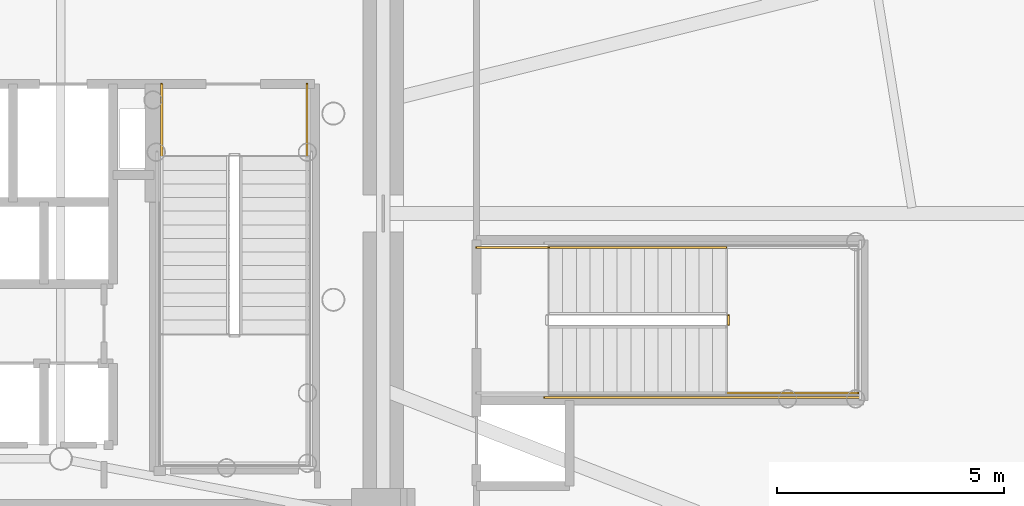
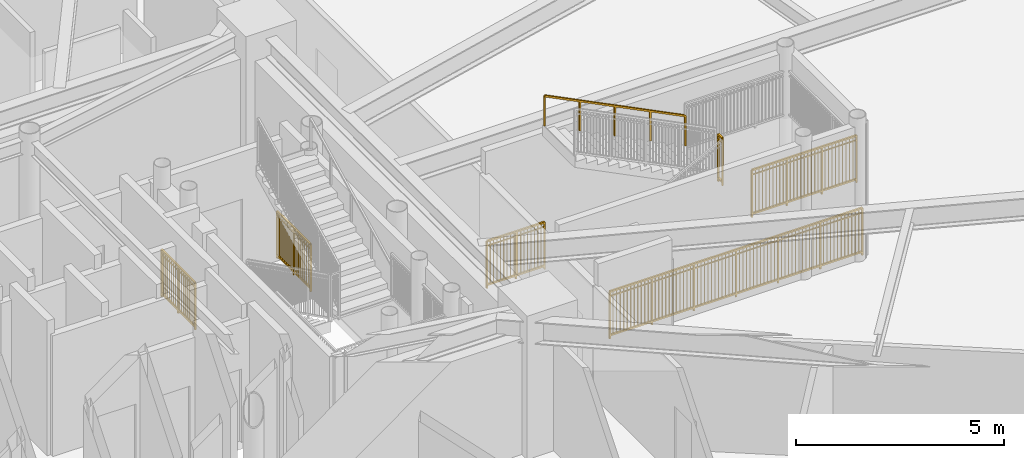
# One storey, part 26 of 28: 7 railings.
"""IFC4 building model written with IfcOpenShell, lengths in metres."""

from ifc_helpers import new_model, si_unit, direction, frame, origin, origin_2d, place, context, subcontext, project, spatial, rectangle, extrude, source, transform, mapped, material, type_object, element, save


model = new_model("IFC4")

# Units and contexts
model_context = context("Model", 3, precision=1e-05, world=origin(), true_north=direction((0.0, 1.0)))
body_context = subcontext(model_context, "Body", "Model", "MODEL_VIEW")
ifc_project = project(units=[si_unit("LENGTHUNIT", "METRE"), si_unit("AREAUNIT", "SQUARE_METRE"), si_unit("VOLUMEUNIT", "CUBIC_METRE"), si_unit("PLANEANGLEUNIT", "RADIAN"), si_unit("MASSUNIT", "GRAM", prefix="KILO")], contexts=[model_context])

# Site, building, storey
site_placement = place(None, origin())
site = spatial("IfcSite", under=ifc_project, at=site_placement, CompositionType="ELEMENT")
building_placement = place(site_placement, origin())
building = spatial("IfcBuilding", under=site, at=building_placement, Name="Linh Dai School and Residence Tower", CompositionType="ELEMENT")
storey_placement = place(building_placement, frame((0.0, 0.0, 36.60009765625)))
storey = spatial("IfcBuildingStorey", under=building, at=storey_placement, Name="L08", CompositionType="ELEMENT", Elevation=36.60009765625)

# Railings
ifc_material_1 = material(Name="Structural Steel S355JR", Category="steel")
railing_type_1 = type_object("IfcRailingType", Name="RL-ST-GUARD-1400", PredefinedType="GUARDRAIL", material=ifc_material_1)
shared_shape_1 = source(origin(), body_context, "Body", "SweptSolid", [
    extrude(rectangle(XDim=0.048095703125, YDim=0.048095703125, at=origin_2d()), frame((0.0, 0.0, 1.3759765625), z_axis=(0.0, -1.0, 0.0), x_axis=(1.0, 0.0, 0.0)), (0.0, 0.0, 1.0), 1.60009765625),
    extrude(rectangle(XDim=0.048095703125, YDim=0.048095703125, at=origin_2d()), frame((0.0, 0.0, 0.10009765625), z_axis=(0.0, -1.0, 0.0), x_axis=(1.0, 0.0, 0.0)), (0.0, 0.0, 1.0), 1.60009765625),
    extrude(rectangle(XDim=0.030029296875, YDim=0.030029296875, at=origin_2d()), frame((0.0, 0.0, 1.239990234375), z_axis=(0.0, -1.0, 0.0), x_axis=(1.0, 0.0, 0.0)), (0.0, 0.0, 1.0), 1.60009765625),
    extrude(rectangle(XDim=0.02001953125, YDim=0.02001953125, at=origin_2d()), frame((0.0, -0.09423828125, 0.10009765625)), (0.0, 0.0, 1.0), 1.251708984375),
    extrude(rectangle(XDim=0.02001953125, YDim=0.02001953125, at=origin_2d()), frame((0.0, -0.188232421875, 0.10009765625)), (0.0, 0.0, 1.0), 1.251708984375),
    extrude(rectangle(XDim=0.02001953125, YDim=0.02001953125, at=origin_2d()), frame((0.0, -0.282470703125, 0.10009765625)), (0.0, 0.0, 1.0), 1.251708984375),
    extrude(rectangle(XDim=0.02001953125, YDim=0.02001953125, at=origin_2d()), frame((0.0, -0.37646484375, 0.10009765625)), (0.0, 0.0, 1.0), 1.251708984375),
    extrude(rectangle(XDim=0.02001953125, YDim=0.02001953125, at=origin_2d()), frame((0.0, -0.470703125, 0.10009765625)), (0.0, 0.0, 1.0), 1.251708984375),
    extrude(rectangle(XDim=0.02001953125, YDim=0.02001953125, at=origin_2d()), frame((0.0, -0.564697265625, 0.10009765625)), (0.0, 0.0, 1.0), 1.251708984375),
    extrude(rectangle(XDim=0.02001953125, YDim=0.02001953125, at=origin_2d()), frame((0.0, -0.658935546875, 0.10009765625)), (0.0, 0.0, 1.0), 1.251708984375),
    extrude(rectangle(XDim=0.02001953125, YDim=0.02001953125, at=origin_2d()), frame((0.0, -0.7529296875, 0.10009765625)), (0.0, 0.0, 1.0), 1.251708984375),
    extrude(rectangle(XDim=0.02001953125, YDim=0.02001953125, at=origin_2d()), frame((0.0, -0.84716796875, 0.10009765625)), (0.0, 0.0, 1.0), 1.251708984375),
    extrude(rectangle(XDim=0.02001953125, YDim=0.02001953125, at=origin_2d()), frame((0.0, -0.941162109375, 0.10009765625)), (0.0, 0.0, 1.0), 1.251708984375),
    extrude(rectangle(XDim=0.02001953125, YDim=0.02001953125, at=origin_2d()), frame((0.0, -1.035400390625, 0.10009765625)), (0.0, 0.0, 1.0), 1.251708984375),
    extrude(rectangle(XDim=0.02001953125, YDim=0.02001953125, at=origin_2d()), frame((0.0, -1.12939453125, 0.10009765625)), (0.0, 0.0, 1.0), 1.251708984375),
    extrude(rectangle(XDim=0.02001953125, YDim=0.02001953125, at=origin_2d()), frame((0.0, -1.2236328125, 0.10009765625)), (0.0, 0.0, 1.0), 1.251708984375),
    extrude(rectangle(XDim=0.02001953125, YDim=0.02001953125, at=origin_2d()), frame((0.0, -1.317626953125, 0.10009765625)), (0.0, 0.0, 1.0), 1.251708984375),
    extrude(rectangle(XDim=0.02001953125, YDim=0.02001953125, at=origin_2d()), frame((0.0, -1.411865234375, 0.10009765625)), (0.0, 0.0, 1.0), 1.251708984375),
    extrude(rectangle(XDim=0.02001953125, YDim=0.02001953125, at=origin_2d()), frame((0.0, -1.505859375, 0.10009765625)), (0.0, 0.0, 1.0), 1.251708984375),
    extrude(rectangle(XDim=0.0419921875, YDim=0.0419921875, at=origin_2d()), origin(), (0.0, 0.0, 1.0), 1.3759765625),
    extrude(rectangle(XDim=0.0419921875, YDim=0.0419921875, at=origin_2d()), frame((0.0, -0.800048828125, 0.0)), (0.0, 0.0, 1.0), 1.3759765625),
    extrude(rectangle(XDim=0.0419921875, YDim=0.0419921875, at=origin_2d()), frame((0.0, -1.60009765625, 0.0)), (0.0, 0.0, 1.0), 1.3759765625),
])
for number, where, name in (
    (1, (41.070068359375, 29.85009765625, 0.0), "L08 ST2 stair guard 8"),
    (2, (44.27001953125, 29.85009765625, 0.0), "L08 ST2 stair guard 9"),
):
    element("IfcRailing", number, at=place(storey_placement, frame(where)), inside=storey, type_object=railing_type_1, Name=name, PredefinedType="GUARDRAIL", context=body_context, shape_type="MappedRepresentation", body=[
        mapped(shared_shape_1, transform((0.0, 0.0, 0.0), x_axis=(1.0, 0.0, 0.0), y_axis=(0.0, 1.0, 0.0), z_axis=(0.0, 0.0, 1.0), scale=1.0)),
    ])
ifc_material_2 = material(Name="Brushed Stainless Steel Handrail", Category="steel")
railing_type_2 = type_object("IfcRailingType", Name="RL-ST-HANDRAIL-900", PredefinedType="HANDRAIL", material=ifc_material_2)
shared_shape_2 = source(origin(), body_context, "Body", "SweptSolid", [
    extrude(rectangle(XDim=0.048095703125, YDim=0.048095703125, at=origin_2d()), frame((0.0, 0.0, 0.8759765625), z_axis=(-0.894427191, 0.0, 0.4472135955), x_axis=(0.0, -1.0, 0.0)), (0.0, 0.0, 1.0), 4.360107421875),
    extrude(rectangle(XDim=0.0419921875, YDim=0.0419921875, at=origin_2d()), origin(), (0.0, 0.0, 1.0), 0.8759765625),
    extrude(rectangle(XDim=0.0419921875, YDim=0.0419921875, at=origin_2d()), frame((-0.97509765625, 0.0, 0.487548828125)), (0.0, 0.0, 1.0), 0.8759765625),
    extrude(rectangle(XDim=0.0419921875, YDim=0.0419921875, at=origin_2d()), frame((-1.949951171875, 0.0, 0.97509765625)), (0.0, 0.0, 1.0), 0.8759765625),
    extrude(rectangle(XDim=0.0419921875, YDim=0.0419921875, at=origin_2d()), frame((-2.9248046875, 0.0, 1.46240234375)), (0.0, 0.0, 1.0), 0.8759765625),
    extrude(rectangle(XDim=0.0419921875, YDim=0.0419921875, at=origin_2d()), frame((-3.89990234375, 0.0, 1.949951171875)), (0.0, 0.0, 1.0), 0.8759765625),
])
railing_1_placement = place(storey_placement, frame((53.5, 26.25, 2.25)))
element("IfcRailing", 3, at=railing_1_placement, inside=storey, type_object=railing_type_2, Name="L08 STS2 stair handrail 2", PredefinedType="HANDRAIL", context=body_context, shape_type="MappedRepresentation", body=[
    mapped(shared_shape_2, transform((0.0, 0.0, 0.0), x_axis=(1.0, 0.0, 0.0), y_axis=(0.0, 1.0, 0.0), z_axis=(0.0, 0.0, 1.0), scale=1.0)),
])
shared_shape_3 = source(origin(), body_context, "Body", "SweptSolid", [
    extrude(rectangle(XDim=0.048095703125, YDim=0.048095703125, at=origin_2d()), frame((0.0, 0.0, 1.3759765625), z_axis=(0.0, 1.0, 0.0), x_axis=(-1.0, 0.0, 0.0)), (0.0, 0.0, 1.0), 0.199951171875),
    extrude(rectangle(XDim=0.048095703125, YDim=0.048095703125, at=origin_2d()), frame((0.0, 0.0, 0.10009765625), z_axis=(0.0, 1.0, 0.0), x_axis=(-1.0, 0.0, 0.0)), (0.0, 0.0, 1.0), 0.199951171875),
    extrude(rectangle(XDim=0.030029296875, YDim=0.030029296875, at=origin_2d()), frame((0.0, 0.0, 1.239990234375), z_axis=(0.0, 1.0, 0.0), x_axis=(-1.0, 0.0, 0.0)), (0.0, 0.0, 1.0), 0.199951171875),
    extrude(rectangle(XDim=0.0419921875, YDim=0.0419921875, at=origin_2d()), origin(), (0.0, 0.0, 1.0), 1.3759765625),
    extrude(rectangle(XDim=0.0419921875, YDim=0.0419921875, at=origin_2d()), frame((0.0, 0.199951171875, 0.0)), (0.0, 0.0, 1.0), 1.3759765625),
])
railing_2_placement = place(storey_placement, frame((53.550048828125, 24.550048828125, 2.099853515625)))
element("IfcRailing", 4, at=railing_2_placement, inside=storey, type_object=railing_type_1, Name="L08 STS2 stair guard 2", PredefinedType="GUARDRAIL", context=body_context, shape_type="MappedRepresentation", body=[
    mapped(shared_shape_3, transform((0.0, 0.0, 0.0), x_axis=(1.0, 0.0, 0.0), y_axis=(0.0, 1.0, 0.0), z_axis=(0.0, 0.0, 1.0), scale=1.0)),
])
shared_shape_4 = source(origin(), body_context, "Body", "SweptSolid", [
    extrude(rectangle(XDim=0.048095703125, YDim=0.048095703125, at=origin_2d()), frame((0.0, 0.0, 1.3759765625), z_axis=(1.0, 0.0, 0.0), x_axis=(0.0, 1.0, 0.0)), (0.0, 0.0, 1.0), 1.60009765625),
    extrude(rectangle(XDim=0.048095703125, YDim=0.048095703125, at=origin_2d()), frame((0.0, 0.0, 0.10009765625), z_axis=(1.0, 0.0, 0.0), x_axis=(0.0, 1.0, 0.0)), (0.0, 0.0, 1.0), 1.60009765625),
    extrude(rectangle(XDim=0.030029296875, YDim=0.030029296875, at=origin_2d()), frame((0.0, 0.0, 1.239990234375), z_axis=(1.0, 0.0, 0.0), x_axis=(0.0, 1.0, 0.0)), (0.0, 0.0, 1.0), 1.60009765625),
    extrude(rectangle(XDim=0.02001953125, YDim=0.02001953125, at=origin_2d()), frame((0.09423828125, 0.0, 0.10009765625)), (0.0, 0.0, 1.0), 1.251708984375),
    extrude(rectangle(XDim=0.02001953125, YDim=0.02001953125, at=origin_2d()), frame((0.188232421875, 0.0, 0.10009765625)), (0.0, 0.0, 1.0), 1.251708984375),
    extrude(rectangle(XDim=0.02001953125, YDim=0.02001953125, at=origin_2d()), frame((0.282470703125, 0.0, 0.10009765625)), (0.0, 0.0, 1.0), 1.251708984375),
    extrude(rectangle(XDim=0.02001953125, YDim=0.02001953125, at=origin_2d()), frame((0.37646484375, 0.0, 0.10009765625)), (0.0, 0.0, 1.0), 1.251708984375),
    extrude(rectangle(XDim=0.02001953125, YDim=0.02001953125, at=origin_2d()), frame((0.470703125, 0.0, 0.10009765625)), (0.0, 0.0, 1.0), 1.251708984375),
    extrude(rectangle(XDim=0.02001953125, YDim=0.02001953125, at=origin_2d()), frame((0.564697265625, 0.0, 0.10009765625)), (0.0, 0.0, 1.0), 1.251708984375),
    extrude(rectangle(XDim=0.02001953125, YDim=0.02001953125, at=origin_2d()), frame((0.658935546875, 0.0, 0.10009765625)), (0.0, 0.0, 1.0), 1.251708984375),
    extrude(rectangle(XDim=0.02001953125, YDim=0.02001953125, at=origin_2d()), frame((0.7529296875, 0.0, 0.10009765625)), (0.0, 0.0, 1.0), 1.251708984375),
    extrude(rectangle(XDim=0.02001953125, YDim=0.02001953125, at=origin_2d()), frame((0.84716796875, 0.0, 0.10009765625)), (0.0, 0.0, 1.0), 1.251708984375),
    extrude(rectangle(XDim=0.02001953125, YDim=0.02001953125, at=origin_2d()), frame((0.941162109375, 0.0, 0.10009765625)), (0.0, 0.0, 1.0), 1.251708984375),
    extrude(rectangle(XDim=0.02001953125, YDim=0.02001953125, at=origin_2d()), frame((1.035400390625, 0.0, 0.10009765625)), (0.0, 0.0, 1.0), 1.251708984375),
    extrude(rectangle(XDim=0.02001953125, YDim=0.02001953125, at=origin_2d()), frame((1.12939453125, 0.0, 0.10009765625)), (0.0, 0.0, 1.0), 1.251708984375),
    extrude(rectangle(XDim=0.02001953125, YDim=0.02001953125, at=origin_2d()), frame((1.2236328125, 0.0, 0.10009765625)), (0.0, 0.0, 1.0), 1.251708984375),
    extrude(rectangle(XDim=0.02001953125, YDim=0.02001953125, at=origin_2d()), frame((1.317626953125, 0.0, 0.10009765625)), (0.0, 0.0, 1.0), 1.251708984375),
    extrude(rectangle(XDim=0.02001953125, YDim=0.02001953125, at=origin_2d()), frame((1.411865234375, 0.0, 0.10009765625)), (0.0, 0.0, 1.0), 1.251708984375),
    extrude(rectangle(XDim=0.02001953125, YDim=0.02001953125, at=origin_2d()), frame((1.505859375, 0.0, 0.10009765625)), (0.0, 0.0, 1.0), 1.251708984375),
    extrude(rectangle(XDim=0.0419921875, YDim=0.0419921875, at=origin_2d()), origin(), (0.0, 0.0, 1.0), 1.3759765625),
    extrude(rectangle(XDim=0.0419921875, YDim=0.0419921875, at=origin_2d()), frame((0.800048828125, 0.0, 0.0)), (0.0, 0.0, 1.0), 1.3759765625),
    extrude(rectangle(XDim=0.0419921875, YDim=0.0419921875, at=origin_2d()), frame((1.60009765625, 0.0, 0.0)), (0.0, 0.0, 1.0), 1.3759765625),
])
railing_3_placement = place(storey_placement, frame((48.0, 26.25, 0.0)))
element("IfcRailing", 5, at=railing_3_placement, inside=storey, type_object=railing_type_1, Name="L08 STS2 stair guard 9", PredefinedType="GUARDRAIL", context=body_context, shape_type="MappedRepresentation", body=[
    mapped(shared_shape_4, transform((0.0, 0.0, 0.0), x_axis=(1.0, 0.0, 0.0), y_axis=(0.0, 1.0, 0.0), z_axis=(0.0, 0.0, 1.0), scale=1.0)),
])
shared_shape_5 = source(origin(), body_context, "Body", "SweptSolid", [
    extrude(rectangle(XDim=0.048095703125, YDim=0.048095703125, at=origin_2d()), frame((0.0, 0.0, 1.3759765625), z_axis=(1.0, 0.0, 0.0), x_axis=(0.0, 1.0, 0.0)), (0.0, 0.0, 1.0), 2.89990234375),
    extrude(rectangle(XDim=0.048095703125, YDim=0.048095703125, at=origin_2d()), frame((0.0, 0.0, 0.10009765625), z_axis=(1.0, 0.0, 0.0), x_axis=(0.0, 1.0, 0.0)), (0.0, 0.0, 1.0), 2.89990234375),
    extrude(rectangle(XDim=0.030029296875, YDim=0.030029296875, at=origin_2d()), frame((0.0, 0.0, 1.239990234375), z_axis=(1.0, 0.0, 0.0), x_axis=(0.0, 1.0, 0.0)), (0.0, 0.0, 1.0), 2.89990234375),
    extrude(rectangle(XDim=0.02001953125, YDim=0.02001953125, at=origin_2d()), frame((0.0966796875, 0.0, 0.10009765625)), (0.0, 0.0, 1.0), 1.251708984375),
    extrude(rectangle(XDim=0.02001953125, YDim=0.02001953125, at=origin_2d()), frame((0.193359375, 0.0, 0.10009765625)), (0.0, 0.0, 1.0), 1.251708984375),
    extrude(rectangle(XDim=0.02001953125, YDim=0.02001953125, at=origin_2d()), frame((0.2900390625, 0.0, 0.10009765625)), (0.0, 0.0, 1.0), 1.251708984375),
    extrude(rectangle(XDim=0.02001953125, YDim=0.02001953125, at=origin_2d()), frame((0.38671875, 0.0, 0.10009765625)), (0.0, 0.0, 1.0), 1.251708984375),
    extrude(rectangle(XDim=0.02001953125, YDim=0.02001953125, at=origin_2d()), frame((0.4833984375, 0.0, 0.10009765625)), (0.0, 0.0, 1.0), 1.251708984375),
    extrude(rectangle(XDim=0.02001953125, YDim=0.02001953125, at=origin_2d()), frame((0.580078125, 0.0, 0.10009765625)), (0.0, 0.0, 1.0), 1.251708984375),
    extrude(rectangle(XDim=0.02001953125, YDim=0.02001953125, at=origin_2d()), frame((0.6767578125, 0.0, 0.10009765625)), (0.0, 0.0, 1.0), 1.251708984375),
    extrude(rectangle(XDim=0.02001953125, YDim=0.02001953125, at=origin_2d()), frame((0.773193359375, 0.0, 0.10009765625)), (0.0, 0.0, 1.0), 1.251708984375),
    extrude(rectangle(XDim=0.02001953125, YDim=0.02001953125, at=origin_2d()), frame((0.869873046875, 0.0, 0.10009765625)), (0.0, 0.0, 1.0), 1.251708984375),
    extrude(rectangle(XDim=0.02001953125, YDim=0.02001953125, at=origin_2d()), frame((1.063232421875, 0.0, 0.10009765625)), (0.0, 0.0, 1.0), 1.251708984375),
    extrude(rectangle(XDim=0.02001953125, YDim=0.02001953125, at=origin_2d()), frame((1.159912109375, 0.0, 0.10009765625)), (0.0, 0.0, 1.0), 1.251708984375),
    extrude(rectangle(XDim=0.02001953125, YDim=0.02001953125, at=origin_2d()), frame((1.256591796875, 0.0, 0.10009765625)), (0.0, 0.0, 1.0), 1.251708984375),
    extrude(rectangle(XDim=0.02001953125, YDim=0.02001953125, at=origin_2d()), frame((1.353271484375, 0.0, 0.10009765625)), (0.0, 0.0, 1.0), 1.251708984375),
    extrude(rectangle(XDim=0.02001953125, YDim=0.02001953125, at=origin_2d()), frame((1.449951171875, 0.0, 0.10009765625)), (0.0, 0.0, 1.0), 1.251708984375),
    extrude(rectangle(XDim=0.02001953125, YDim=0.02001953125, at=origin_2d()), frame((1.546630859375, 0.0, 0.10009765625)), (0.0, 0.0, 1.0), 1.251708984375),
    extrude(rectangle(XDim=0.02001953125, YDim=0.02001953125, at=origin_2d()), frame((1.643310546875, 0.0, 0.10009765625)), (0.0, 0.0, 1.0), 1.251708984375),
    extrude(rectangle(XDim=0.02001953125, YDim=0.02001953125, at=origin_2d()), frame((1.739990234375, 0.0, 0.10009765625)), (0.0, 0.0, 1.0), 1.251708984375),
    extrude(rectangle(XDim=0.02001953125, YDim=0.02001953125, at=origin_2d()), frame((1.836669921875, 0.0, 0.10009765625)), (0.0, 0.0, 1.0), 1.251708984375),
    extrude(rectangle(XDim=0.02001953125, YDim=0.02001953125, at=origin_2d()), frame((2.030029296875, 0.0, 0.10009765625)), (0.0, 0.0, 1.0), 1.251708984375),
    extrude(rectangle(XDim=0.02001953125, YDim=0.02001953125, at=origin_2d()), frame((2.126708984375, 0.0, 0.10009765625)), (0.0, 0.0, 1.0), 1.251708984375),
    extrude(rectangle(XDim=0.02001953125, YDim=0.02001953125, at=origin_2d()), frame((2.22314453125, 0.0, 0.10009765625)), (0.0, 0.0, 1.0), 1.251708984375),
    extrude(rectangle(XDim=0.02001953125, YDim=0.02001953125, at=origin_2d()), frame((2.31982421875, 0.0, 0.10009765625)), (0.0, 0.0, 1.0), 1.251708984375),
    extrude(rectangle(XDim=0.02001953125, YDim=0.02001953125, at=origin_2d()), frame((2.41650390625, 0.0, 0.10009765625)), (0.0, 0.0, 1.0), 1.251708984375),
    extrude(rectangle(XDim=0.02001953125, YDim=0.02001953125, at=origin_2d()), frame((2.51318359375, 0.0, 0.10009765625)), (0.0, 0.0, 1.0), 1.251708984375),
    extrude(rectangle(XDim=0.02001953125, YDim=0.02001953125, at=origin_2d()), frame((2.60986328125, 0.0, 0.10009765625)), (0.0, 0.0, 1.0), 1.251708984375),
    extrude(rectangle(XDim=0.02001953125, YDim=0.02001953125, at=origin_2d()), frame((2.70654296875, 0.0, 0.10009765625)), (0.0, 0.0, 1.0), 1.251708984375),
    extrude(rectangle(XDim=0.02001953125, YDim=0.02001953125, at=origin_2d()), frame((2.80322265625, 0.0, 0.10009765625)), (0.0, 0.0, 1.0), 1.251708984375),
    extrude(rectangle(XDim=0.0419921875, YDim=0.0419921875, at=origin_2d()), origin(), (0.0, 0.0, 1.0), 1.3759765625),
    extrude(rectangle(XDim=0.0419921875, YDim=0.0419921875, at=origin_2d()), frame((0.966552734375, 0.0, 0.0)), (0.0, 0.0, 1.0), 1.3759765625),
    extrude(rectangle(XDim=0.0419921875, YDim=0.0419921875, at=origin_2d()), frame((1.933349609375, 0.0, 0.0)), (0.0, 0.0, 1.0), 1.3759765625),
    extrude(rectangle(XDim=0.0419921875, YDim=0.0419921875, at=origin_2d()), frame((2.89990234375, 0.0, 0.0)), (0.0, 0.0, 1.0), 1.3759765625),
])
railing_4_placement = place(storey_placement, frame((53.5, 23.050048828125, 2.099853515625)))
element("IfcRailing", 6, at=railing_4_placement, inside=storey, type_object=railing_type_1, Name="L08 STS2 stair guard 3", PredefinedType="GUARDRAIL", context=body_context, shape_type="MappedRepresentation", body=[
    mapped(shared_shape_5, transform((0.0, 0.0, 0.0), x_axis=(1.0, 0.0, 0.0), y_axis=(0.0, 1.0, 0.0), z_axis=(0.0, 0.0, 1.0), scale=1.0)),
])
shared_shape_6 = source(origin(), body_context, "Body", "SweptSolid", [
    extrude(rectangle(XDim=0.048095703125, YDim=0.048095703125, at=origin_2d()), frame((0.0, 0.0, 1.3759765625), z_axis=(1.0, 0.0, 0.0), x_axis=(0.0, 1.0, 0.0)), (0.0, 0.0, 1.0), 7.0),
    extrude(rectangle(XDim=0.048095703125, YDim=0.048095703125, at=origin_2d()), frame((0.0, 0.0, 0.10009765625), z_axis=(1.0, 0.0, 0.0), x_axis=(0.0, 1.0, 0.0)), (0.0, 0.0, 1.0), 7.0),
    extrude(rectangle(XDim=0.030029296875, YDim=0.030029296875, at=origin_2d()), frame((0.0, 0.0, 1.239990234375), z_axis=(1.0, 0.0, 0.0), x_axis=(0.0, 1.0, 0.0)), (0.0, 0.0, 1.0), 7.0),
    extrude(rectangle(XDim=0.02001953125, YDim=0.02001953125, at=origin_2d()), frame((0.09716796875, 0.0, 0.10009765625)), (0.0, 0.0, 1.0), 1.251708984375),
    extrude(rectangle(XDim=0.02001953125, YDim=0.02001953125, at=origin_2d()), frame((0.1943359375, 0.0, 0.10009765625)), (0.0, 0.0, 1.0), 1.251708984375),
    extrude(rectangle(XDim=0.02001953125, YDim=0.02001953125, at=origin_2d()), frame((0.291748046875, 0.0, 0.10009765625)), (0.0, 0.0, 1.0), 1.251708984375),
    extrude(rectangle(XDim=0.02001953125, YDim=0.02001953125, at=origin_2d()), frame((0.388916015625, 0.0, 0.10009765625)), (0.0, 0.0, 1.0), 1.251708984375),
    extrude(rectangle(XDim=0.02001953125, YDim=0.02001953125, at=origin_2d()), frame((0.486083984375, 0.0, 0.10009765625)), (0.0, 0.0, 1.0), 1.251708984375),
    extrude(rectangle(XDim=0.02001953125, YDim=0.02001953125, at=origin_2d()), frame((0.583251953125, 0.0, 0.10009765625)), (0.0, 0.0, 1.0), 1.251708984375),
    extrude(rectangle(XDim=0.02001953125, YDim=0.02001953125, at=origin_2d()), frame((0.6806640625, 0.0, 0.10009765625)), (0.0, 0.0, 1.0), 1.251708984375),
    extrude(rectangle(XDim=0.02001953125, YDim=0.02001953125, at=origin_2d()), frame((0.77783203125, 0.0, 0.10009765625)), (0.0, 0.0, 1.0), 1.251708984375),
    extrude(rectangle(XDim=0.02001953125, YDim=0.02001953125, at=origin_2d()), frame((0.875, 0.0, 0.10009765625)), (0.0, 0.0, 1.0), 1.251708984375),
    extrude(rectangle(XDim=0.02001953125, YDim=0.02001953125, at=origin_2d()), frame((0.97216796875, 0.0, 0.10009765625)), (0.0, 0.0, 1.0), 1.251708984375),
    extrude(rectangle(XDim=0.02001953125, YDim=0.02001953125, at=origin_2d()), frame((1.0693359375, 0.0, 0.10009765625)), (0.0, 0.0, 1.0), 1.251708984375),
    extrude(rectangle(XDim=0.02001953125, YDim=0.02001953125, at=origin_2d()), frame((1.263916015625, 0.0, 0.10009765625)), (0.0, 0.0, 1.0), 1.251708984375),
    extrude(rectangle(XDim=0.02001953125, YDim=0.02001953125, at=origin_2d()), frame((1.361083984375, 0.0, 0.10009765625)), (0.0, 0.0, 1.0), 1.251708984375),
    extrude(rectangle(XDim=0.02001953125, YDim=0.02001953125, at=origin_2d()), frame((1.458251953125, 0.0, 0.10009765625)), (0.0, 0.0, 1.0), 1.251708984375),
    extrude(rectangle(XDim=0.02001953125, YDim=0.02001953125, at=origin_2d()), frame((1.5556640625, 0.0, 0.10009765625)), (0.0, 0.0, 1.0), 1.251708984375),
    extrude(rectangle(XDim=0.02001953125, YDim=0.02001953125, at=origin_2d()), frame((1.65283203125, 0.0, 0.10009765625)), (0.0, 0.0, 1.0), 1.251708984375),
    extrude(rectangle(XDim=0.02001953125, YDim=0.02001953125, at=origin_2d()), frame((1.75, 0.0, 0.10009765625)), (0.0, 0.0, 1.0), 1.251708984375),
    extrude(rectangle(XDim=0.02001953125, YDim=0.02001953125, at=origin_2d()), frame((1.84716796875, 0.0, 0.10009765625)), (0.0, 0.0, 1.0), 1.251708984375),
    extrude(rectangle(XDim=0.02001953125, YDim=0.02001953125, at=origin_2d()), frame((1.9443359375, 0.0, 0.10009765625)), (0.0, 0.0, 1.0), 1.251708984375),
    extrude(rectangle(XDim=0.02001953125, YDim=0.02001953125, at=origin_2d()), frame((2.041748046875, 0.0, 0.10009765625)), (0.0, 0.0, 1.0), 1.251708984375),
    extrude(rectangle(XDim=0.02001953125, YDim=0.02001953125, at=origin_2d()), frame((2.138916015625, 0.0, 0.10009765625)), (0.0, 0.0, 1.0), 1.251708984375),
    extrude(rectangle(XDim=0.02001953125, YDim=0.02001953125, at=origin_2d()), frame((2.236083984375, 0.0, 0.10009765625)), (0.0, 0.0, 1.0), 1.251708984375),
    extrude(rectangle(XDim=0.02001953125, YDim=0.02001953125, at=origin_2d()), frame((2.4306640625, 0.0, 0.10009765625)), (0.0, 0.0, 1.0), 1.251708984375),
    extrude(rectangle(XDim=0.02001953125, YDim=0.02001953125, at=origin_2d()), frame((2.52783203125, 0.0, 0.10009765625)), (0.0, 0.0, 1.0), 1.251708984375),
    extrude(rectangle(XDim=0.02001953125, YDim=0.02001953125, at=origin_2d()), frame((2.625, 0.0, 0.10009765625)), (0.0, 0.0, 1.0), 1.251708984375),
    extrude(rectangle(XDim=0.02001953125, YDim=0.02001953125, at=origin_2d()), frame((2.72216796875, 0.0, 0.10009765625)), (0.0, 0.0, 1.0), 1.251708984375),
    extrude(rectangle(XDim=0.02001953125, YDim=0.02001953125, at=origin_2d()), frame((2.8193359375, 0.0, 0.10009765625)), (0.0, 0.0, 1.0), 1.251708984375),
    extrude(rectangle(XDim=0.02001953125, YDim=0.02001953125, at=origin_2d()), frame((2.916748046875, 0.0, 0.10009765625)), (0.0, 0.0, 1.0), 1.251708984375),
    extrude(rectangle(XDim=0.02001953125, YDim=0.02001953125, at=origin_2d()), frame((3.013916015625, 0.0, 0.10009765625)), (0.0, 0.0, 1.0), 1.251708984375),
    extrude(rectangle(XDim=0.02001953125, YDim=0.02001953125, at=origin_2d()), frame((3.111083984375, 0.0, 0.10009765625)), (0.0, 0.0, 1.0), 1.251708984375),
    extrude(rectangle(XDim=0.02001953125, YDim=0.02001953125, at=origin_2d()), frame((3.208251953125, 0.0, 0.10009765625)), (0.0, 0.0, 1.0), 1.251708984375),
    extrude(rectangle(XDim=0.02001953125, YDim=0.02001953125, at=origin_2d()), frame((3.3056640625, 0.0, 0.10009765625)), (0.0, 0.0, 1.0), 1.251708984375),
    extrude(rectangle(XDim=0.02001953125, YDim=0.02001953125, at=origin_2d()), frame((3.40283203125, 0.0, 0.10009765625)), (0.0, 0.0, 1.0), 1.251708984375),
    extrude(rectangle(XDim=0.02001953125, YDim=0.02001953125, at=origin_2d()), frame((3.59716796875, 0.0, 0.10009765625)), (0.0, 0.0, 1.0), 1.251708984375),
    extrude(rectangle(XDim=0.02001953125, YDim=0.02001953125, at=origin_2d()), frame((3.6943359375, 0.0, 0.10009765625)), (0.0, 0.0, 1.0), 1.251708984375),
    extrude(rectangle(XDim=0.02001953125, YDim=0.02001953125, at=origin_2d()), frame((3.791748046875, 0.0, 0.10009765625)), (0.0, 0.0, 1.0), 1.251708984375),
    extrude(rectangle(XDim=0.02001953125, YDim=0.02001953125, at=origin_2d()), frame((3.888916015625, 0.0, 0.10009765625)), (0.0, 0.0, 1.0), 1.251708984375),
    extrude(rectangle(XDim=0.02001953125, YDim=0.02001953125, at=origin_2d()), frame((3.986083984375, 0.0, 0.10009765625)), (0.0, 0.0, 1.0), 1.251708984375),
    extrude(rectangle(XDim=0.02001953125, YDim=0.02001953125, at=origin_2d()), frame((4.083251953125, 0.0, 0.10009765625)), (0.0, 0.0, 1.0), 1.251708984375),
    extrude(rectangle(XDim=0.02001953125, YDim=0.02001953125, at=origin_2d()), frame((4.1806640625, 0.0, 0.10009765625)), (0.0, 0.0, 1.0), 1.251708984375),
    extrude(rectangle(XDim=0.02001953125, YDim=0.02001953125, at=origin_2d()), frame((4.27783203125, 0.0, 0.10009765625)), (0.0, 0.0, 1.0), 1.251708984375),
    extrude(rectangle(XDim=0.02001953125, YDim=0.02001953125, at=origin_2d()), frame((4.375, 0.0, 0.10009765625)), (0.0, 0.0, 1.0), 1.251708984375),
    extrude(rectangle(XDim=0.02001953125, YDim=0.02001953125, at=origin_2d()), frame((4.47216796875, 0.0, 0.10009765625)), (0.0, 0.0, 1.0), 1.251708984375),
    extrude(rectangle(XDim=0.02001953125, YDim=0.02001953125, at=origin_2d()), frame((4.5693359375, 0.0, 0.10009765625)), (0.0, 0.0, 1.0), 1.251708984375),
    extrude(rectangle(XDim=0.02001953125, YDim=0.02001953125, at=origin_2d()), frame((4.763916015625, 0.0, 0.10009765625)), (0.0, 0.0, 1.0), 1.251708984375),
    extrude(rectangle(XDim=0.02001953125, YDim=0.02001953125, at=origin_2d()), frame((4.861083984375, 0.0, 0.10009765625)), (0.0, 0.0, 1.0), 1.251708984375),
    extrude(rectangle(XDim=0.02001953125, YDim=0.02001953125, at=origin_2d()), frame((4.958251953125, 0.0, 0.10009765625)), (0.0, 0.0, 1.0), 1.251708984375),
    extrude(rectangle(XDim=0.02001953125, YDim=0.02001953125, at=origin_2d()), frame((5.0556640625, 0.0, 0.10009765625)), (0.0, 0.0, 1.0), 1.251708984375),
    extrude(rectangle(XDim=0.02001953125, YDim=0.02001953125, at=origin_2d()), frame((5.15283203125, 0.0, 0.10009765625)), (0.0, 0.0, 1.0), 1.251708984375),
    extrude(rectangle(XDim=0.02001953125, YDim=0.02001953125, at=origin_2d()), frame((5.25, 0.0, 0.10009765625)), (0.0, 0.0, 1.0), 1.251708984375),
    extrude(rectangle(XDim=0.02001953125, YDim=0.02001953125, at=origin_2d()), frame((5.34716796875, 0.0, 0.10009765625)), (0.0, 0.0, 1.0), 1.251708984375),
    extrude(rectangle(XDim=0.02001953125, YDim=0.02001953125, at=origin_2d()), frame((5.4443359375, 0.0, 0.10009765625)), (0.0, 0.0, 1.0), 1.251708984375),
    extrude(rectangle(XDim=0.02001953125, YDim=0.02001953125, at=origin_2d()), frame((5.541748046875, 0.0, 0.10009765625)), (0.0, 0.0, 1.0), 1.251708984375),
    extrude(rectangle(XDim=0.02001953125, YDim=0.02001953125, at=origin_2d()), frame((5.638916015625, 0.0, 0.10009765625)), (0.0, 0.0, 1.0), 1.251708984375),
    extrude(rectangle(XDim=0.02001953125, YDim=0.02001953125, at=origin_2d()), frame((5.736083984375, 0.0, 0.10009765625)), (0.0, 0.0, 1.0), 1.251708984375),
    extrude(rectangle(XDim=0.02001953125, YDim=0.02001953125, at=origin_2d()), frame((5.9306640625, 0.0, 0.10009765625)), (0.0, 0.0, 1.0), 1.251708984375),
    extrude(rectangle(XDim=0.02001953125, YDim=0.02001953125, at=origin_2d()), frame((6.02783203125, 0.0, 0.10009765625)), (0.0, 0.0, 1.0), 1.251708984375),
    extrude(rectangle(XDim=0.02001953125, YDim=0.02001953125, at=origin_2d()), frame((6.125, 0.0, 0.10009765625)), (0.0, 0.0, 1.0), 1.251708984375),
    extrude(rectangle(XDim=0.02001953125, YDim=0.02001953125, at=origin_2d()), frame((6.22216796875, 0.0, 0.10009765625)), (0.0, 0.0, 1.0), 1.251708984375),
    extrude(rectangle(XDim=0.02001953125, YDim=0.02001953125, at=origin_2d()), frame((6.3193359375, 0.0, 0.10009765625)), (0.0, 0.0, 1.0), 1.251708984375),
    extrude(rectangle(XDim=0.02001953125, YDim=0.02001953125, at=origin_2d()), frame((6.416748046875, 0.0, 0.10009765625)), (0.0, 0.0, 1.0), 1.251708984375),
    extrude(rectangle(XDim=0.02001953125, YDim=0.02001953125, at=origin_2d()), frame((6.513916015625, 0.0, 0.10009765625)), (0.0, 0.0, 1.0), 1.251708984375),
    extrude(rectangle(XDim=0.02001953125, YDim=0.02001953125, at=origin_2d()), frame((6.611083984375, 0.0, 0.10009765625)), (0.0, 0.0, 1.0), 1.251708984375),
    extrude(rectangle(XDim=0.02001953125, YDim=0.02001953125, at=origin_2d()), frame((6.708251953125, 0.0, 0.10009765625)), (0.0, 0.0, 1.0), 1.251708984375),
    extrude(rectangle(XDim=0.02001953125, YDim=0.02001953125, at=origin_2d()), frame((6.8056640625, 0.0, 0.10009765625)), (0.0, 0.0, 1.0), 1.251708984375),
    extrude(rectangle(XDim=0.02001953125, YDim=0.02001953125, at=origin_2d()), frame((6.90283203125, 0.0, 0.10009765625)), (0.0, 0.0, 1.0), 1.251708984375),
    extrude(rectangle(XDim=0.0419921875, YDim=0.0419921875, at=origin_2d()), origin(), (0.0, 0.0, 1.0), 1.3759765625),
    extrude(rectangle(XDim=0.0419921875, YDim=0.0419921875, at=origin_2d()), frame((1.166748046875, 0.0, 0.0)), (0.0, 0.0, 1.0), 1.3759765625),
    extrude(rectangle(XDim=0.0419921875, YDim=0.0419921875, at=origin_2d()), frame((2.333251953125, 0.0, 0.0)), (0.0, 0.0, 1.0), 1.3759765625),
    extrude(rectangle(XDim=0.0419921875, YDim=0.0419921875, at=origin_2d()), frame((3.5, 0.0, 0.0)), (0.0, 0.0, 1.0), 1.3759765625),
    extrude(rectangle(XDim=0.0419921875, YDim=0.0419921875, at=origin_2d()), frame((4.666748046875, 0.0, 0.0)), (0.0, 0.0, 1.0), 1.3759765625),
    extrude(rectangle(XDim=0.0419921875, YDim=0.0419921875, at=origin_2d()), frame((5.833251953125, 0.0, 0.0)), (0.0, 0.0, 1.0), 1.3759765625),
    extrude(rectangle(XDim=0.0419921875, YDim=0.0419921875, at=origin_2d()), frame((7.0, 0.0, 0.0)), (0.0, 0.0, 1.0), 1.3759765625),
])
railing_5_placement = place(storey_placement, frame((49.5, 22.949951171875, 0.0)))
element("IfcRailing", 7, at=railing_5_placement, inside=storey, type_object=railing_type_1, Name="L08 STS2 stair guard 10", PredefinedType="GUARDRAIL", context=body_context, shape_type="MappedRepresentation", body=[
    mapped(shared_shape_6, transform((0.0, 0.0, 0.0), x_axis=(1.0, 0.0, 0.0), y_axis=(0.0, 1.0, 0.0), z_axis=(0.0, 0.0, 1.0), scale=1.0)),
])

save(model, "model.ifc")
